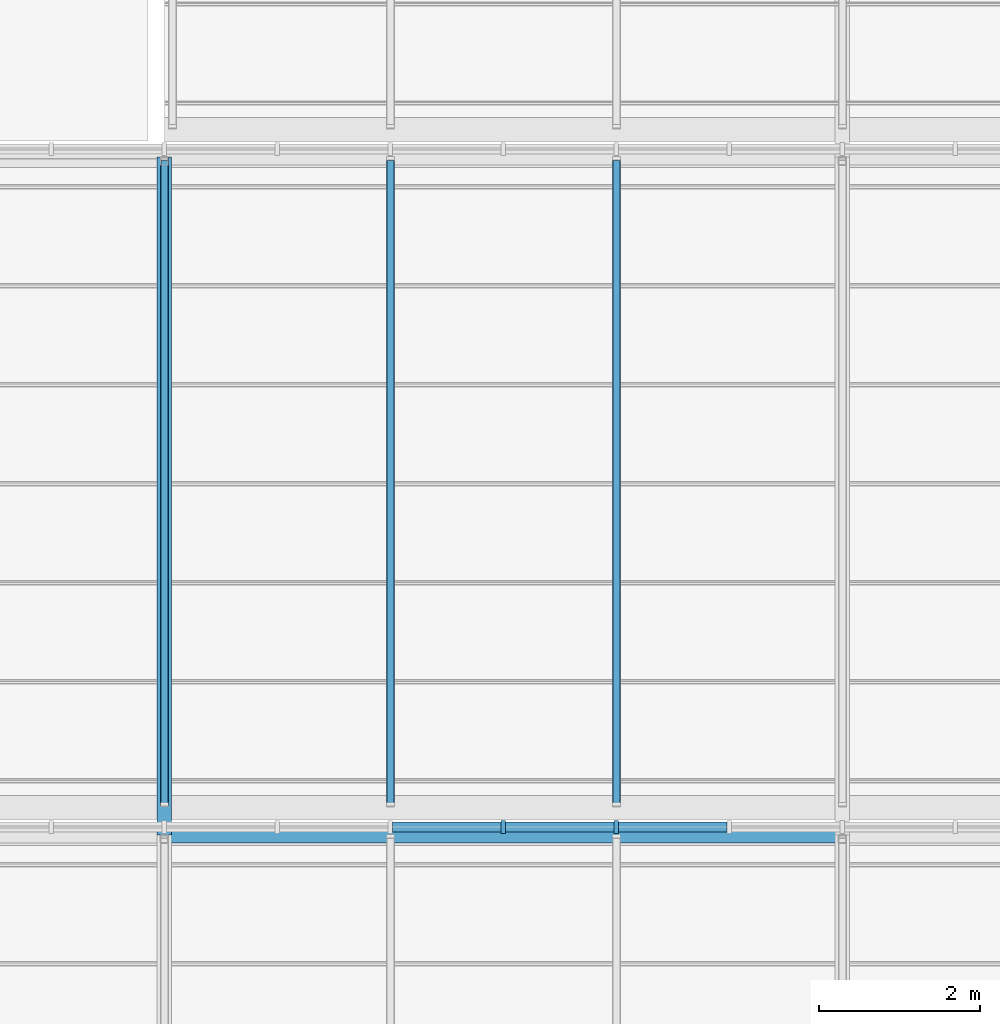
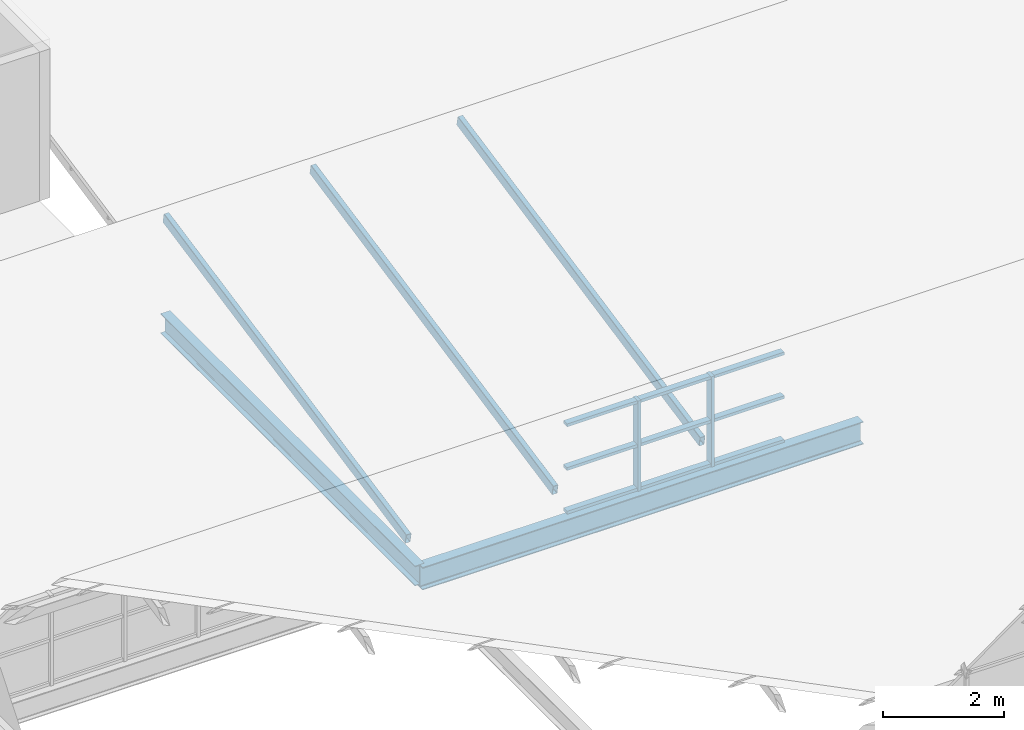
# One storey, part 16 of 121: 14 members, 2 beams, 1 element without a shape of its own.
"""IFC4 building model written with IfcOpenShell, lengths in metres."""

from ifc_helpers import new_model, si_unit, direction, frame, origin, origin_2d, place, context, subcontext, project, spatial, rectangle, hollow_rectangle, i_section, extrude, material, layer, layer_set, material_profile, profile_set, type_object, element, aggregate, save


model = new_model("IFC4")

# Units and contexts
model_context = context("Model", 3, precision=1e-05, world=origin(), true_north=direction((0.0, 1.0)))
body_context = subcontext(model_context, "Body", "Model", "MODEL_VIEW")
ifc_project = project(units=[si_unit("LENGTHUNIT", "METRE"), si_unit("AREAUNIT", "SQUARE_METRE"), si_unit("VOLUMEUNIT", "CUBIC_METRE"), si_unit("PLANEANGLEUNIT", "RADIAN"), si_unit("MASSUNIT", "GRAM", prefix="KILO")], contexts=[model_context])

# Site, building, storey
site_placement = place(None, origin())
site = spatial("IfcSite", under=ifc_project, at=site_placement, CompositionType="ELEMENT")
building_placement = place(site_placement, origin())
building = spatial("IfcBuilding", under=site, at=building_placement, Name="Ardhachandra Cancer Care Centre", CompositionType="ELEMENT")
storey_placement = place(building_placement, frame((0.0, 0.0, 9.0)))
storey = spatial("IfcBuildingStorey", under=building, at=storey_placement, Name="L02", CompositionType="ELEMENT", Elevation=9.0)

# Beams
ifc_material_1 = material(Name="Steel E350 (IS 2062)", Category="steel")
ifc_material_profile_1 = material_profile(ifc_material_1, i_section(OverallWidth=0.179931640625, OverallDepth=0.39990234375, WebThickness=0.008544921875, FlangeThickness=0.013427734375, FilletRadius=0.02099609375, at=origin_2d()), Name="NPB 400x180x66.30")
ifc_profile_set_1 = profile_set([ifc_material_profile_1], Name="Steel E350 (IS 2062)")
beam_type_1 = type_object("IfcBeamType", Name="Beam NPB 400x180x66.30", PredefinedType="BEAM", material=ifc_profile_set_1)
beam_1_placement = place(storey_placement, frame((19.199951171875, 54.60009765625, -0.199951171875), z_axis=(0.0, 1.0, 0.0), x_axis=(-1.0, 0.0, 0.0)))
element("IfcBeam", 1, at=beam_1_placement, inside=storey, type_object=beam_type_1, Name="Roof girder F2-G2", PredefinedType="BEAM", context=body_context, shape_type="SweptSolid", body=[
    extrude(i_section(OverallWidth=0.179931640625, OverallDepth=0.39990234375, WebThickness=0.008544921875, FlangeThickness=0.013427734375, FilletRadius=0.02099609375, at=origin_2d()), origin(), (0.0, 0.0, 1.0), 8.39990234375),
])
ifc_material_2 = material(Name="Steel E350 (IS 2062)", Category="steel")
ifc_material_profile_2 = material_profile(ifc_material_2, i_section(OverallWidth=0.19189453125, OverallDepth=0.4560546875, WebThickness=0.010986328125, FlangeThickness=0.017578125, FilletRadius=0.02099609375, at=origin_2d()), Name="NPB 450x190x92.36")
ifc_profile_set_2 = profile_set([ifc_material_profile_2], Name="Steel E350 (IS 2062)")
beam_type_2 = type_object("IfcBeamType", Name="Beam NPB 450x190x92.36", PredefinedType="BEAM", material=ifc_profile_set_2)
beam_2_placement = place(storey_placement, frame((19.199951171875, 54.60009765625, -0.22802734375), z_axis=(1.0, 0.0, 0.0), x_axis=(0.0, 1.0, 0.0)))
element("IfcBeam", 2, at=beam_2_placement, inside=storey, type_object=beam_type_2, Name="Roof girder F2-F3", PredefinedType="BEAM", context=body_context, shape_type="SweptSolid", body=[
    extrude(i_section(OverallWidth=0.19189453125, OverallDepth=0.4560546875, WebThickness=0.010986328125, FlangeThickness=0.017578125, FilletRadius=0.02099609375, at=origin_2d()), origin(), (0.0, 0.0, 1.0), 8.400146484375),
])

# Curtain wall, members
ifc_material_3 = material(Name="Aluminium extrusion", Category="aluminium")
ifc_layer = layer(ifc_material_3, 0.14990234375)
ifc_layer_set = layer_set([ifc_layer], Name="Aluminium extrusion")
curtain_wall_type = type_object("IfcCurtainWallType", Name="Curtain wall run", PredefinedType="NOTDEFINED", material=ifc_layer_set)
curtain_wall_placement = place(storey_placement, origin())
curtain_wall = element("IfcCurtainWall", 3, at=curtain_wall_placement, inside=storey, type_object=curtain_wall_type, Name="Curtain wall L02 n/0010800_0054700", PredefinedType="NOTDEFINED")
ifc_material_4 = material(Name="Aluminium extrusion", Category="aluminium")
ifc_material_profile_3 = material_profile(ifc_material_4, rectangle(XDim=0.159912109375, YDim=0.06005859375, at=origin_2d()), Name="Curtain wall mullion 60 x 160")
ifc_profile_set_3 = profile_set([ifc_material_profile_3], Name="Aluminium extrusion")
member_type_1 = type_object("IfcMemberType", Name="Curtain wall mullion 60 x 160", PredefinedType="MULLION", material=ifc_profile_set_3)
member_1_placement = place(storey_placement, frame((23.39990234375, 54.699951171875, 0.0), z_axis=(0.0, 0.0, 1.0), x_axis=(0.0, 1.0, 0.0)))
member_1 = element("IfcMember", 4, at=member_1_placement, type_object=member_type_1, Name="CW mullion 10", PredefinedType="MULLION", context=body_context, shape_type="SweptSolid", body=[
    extrude(rectangle(XDim=0.159912109375, YDim=0.06005859375, at=origin_2d()), origin(), (0.0, 0.0, 1.0), 1.820068359375),
])
member_2_placement = place(storey_placement, frame((24.800048828125, 54.699951171875, 0.0), z_axis=(0.0, 0.0, 1.0), x_axis=(0.0, 1.0, 0.0)))
member_2 = element("IfcMember", 5, at=member_2_placement, type_object=member_type_1, Name="CW mullion 11", PredefinedType="MULLION", context=body_context, shape_type="SweptSolid", body=[
    extrude(rectangle(XDim=0.159912109375, YDim=0.06005859375, at=origin_2d()), origin(), (0.0, 0.0, 1.0), 1.820068359375),
])
ifc_material_5 = material(Name="Aluminium extrusion", Category="aluminium")
ifc_material_profile_4 = material_profile(ifc_material_5, rectangle(XDim=0.1201171875, YDim=0.06005859375, at=origin_2d()), Name="Curtain wall transom 60 x 120")
ifc_profile_set_4 = profile_set([ifc_material_profile_4], Name="Aluminium extrusion")
member_type_2 = type_object("IfcMemberType", Name="Curtain wall transom 60 x 120", PredefinedType="USERDEFINED", material=ifc_profile_set_4)
member_3_placement = place(storey_placement, frame((22.030029296875, 54.699951171875, 0.030029296875), z_axis=(1.0, 0.0, 0.0), x_axis=(0.0, 1.0, 0.0)))
member_3 = element("IfcMember", 6, at=member_3_placement, type_object=member_type_2, Name="CW transom 9.1", ObjectType="TRANSOM", PredefinedType="USERDEFINED", context=body_context, shape_type="SweptSolid", body=[
    extrude(rectangle(XDim=0.1201171875, YDim=0.06005859375, at=origin_2d()), origin(), (0.0, 0.0, 1.0), 1.340087890625),
])
member_4_placement = place(storey_placement, frame((22.030029296875, 54.699951171875, 0.909912109375), z_axis=(1.0, 0.0, 0.0), x_axis=(0.0, 1.0, 0.0)))
member_4 = element("IfcMember", 7, at=member_4_placement, type_object=member_type_2, Name="CW transom 9.2", ObjectType="TRANSOM", PredefinedType="USERDEFINED", context=body_context, shape_type="SweptSolid", body=[
    extrude(rectangle(XDim=0.1201171875, YDim=0.06005859375, at=origin_2d()), origin(), (0.0, 0.0, 1.0), 1.340087890625),
])
member_5_placement = place(storey_placement, frame((22.030029296875, 54.699951171875, 1.7900390625), z_axis=(1.0, 0.0, 0.0), x_axis=(0.0, 1.0, 0.0)))
member_5 = element("IfcMember", 8, at=member_5_placement, type_object=member_type_2, Name="CW transom 9.3", ObjectType="TRANSOM", PredefinedType="USERDEFINED", context=body_context, shape_type="SweptSolid", body=[
    extrude(rectangle(XDim=0.1201171875, YDim=0.06005859375, at=origin_2d()), origin(), (0.0, 0.0, 1.0), 1.340087890625),
])
member_6_placement = place(storey_placement, frame((23.429931640625, 54.699951171875, 0.030029296875), z_axis=(1.0, 0.0, 0.0), x_axis=(0.0, 1.0, 0.0)))
member_6 = element("IfcMember", 9, at=member_6_placement, type_object=member_type_2, Name="CW transom 10.1", ObjectType="TRANSOM", PredefinedType="USERDEFINED", context=body_context, shape_type="SweptSolid", body=[
    extrude(rectangle(XDim=0.1201171875, YDim=0.06005859375, at=origin_2d()), origin(), (0.0, 0.0, 1.0), 1.340087890625),
])
member_7_placement = place(storey_placement, frame((23.429931640625, 54.699951171875, 0.909912109375), z_axis=(1.0, 0.0, 0.0), x_axis=(0.0, 1.0, 0.0)))
member_7 = element("IfcMember", 10, at=member_7_placement, type_object=member_type_2, Name="CW transom 10.2", ObjectType="TRANSOM", PredefinedType="USERDEFINED", context=body_context, shape_type="SweptSolid", body=[
    extrude(rectangle(XDim=0.1201171875, YDim=0.06005859375, at=origin_2d()), origin(), (0.0, 0.0, 1.0), 1.340087890625),
])
member_8_placement = place(storey_placement, frame((23.429931640625, 54.699951171875, 1.7900390625), z_axis=(1.0, 0.0, 0.0), x_axis=(0.0, 1.0, 0.0)))
member_8 = element("IfcMember", 11, at=member_8_placement, type_object=member_type_2, Name="CW transom 10.3", ObjectType="TRANSOM", PredefinedType="USERDEFINED", context=body_context, shape_type="SweptSolid", body=[
    extrude(rectangle(XDim=0.1201171875, YDim=0.06005859375, at=origin_2d()), origin(), (0.0, 0.0, 1.0), 1.340087890625),
])
member_9_placement = place(storey_placement, frame((24.830078125, 54.699951171875, 0.030029296875), z_axis=(1.0, 0.0, 0.0), x_axis=(0.0, 1.0, 0.0)))
member_9 = element("IfcMember", 12, at=member_9_placement, type_object=member_type_2, Name="CW transom 11.1", ObjectType="TRANSOM", PredefinedType="USERDEFINED", context=body_context, shape_type="SweptSolid", body=[
    extrude(rectangle(XDim=0.1201171875, YDim=0.06005859375, at=origin_2d()), origin(), (0.0, 0.0, 1.0), 1.33984375),
])
member_10_placement = place(storey_placement, frame((24.830078125, 54.699951171875, 0.909912109375), z_axis=(1.0, 0.0, 0.0), x_axis=(0.0, 1.0, 0.0)))
member_10 = element("IfcMember", 13, at=member_10_placement, type_object=member_type_2, Name="CW transom 11.2", ObjectType="TRANSOM", PredefinedType="USERDEFINED", context=body_context, shape_type="SweptSolid", body=[
    extrude(rectangle(XDim=0.1201171875, YDim=0.06005859375, at=origin_2d()), origin(), (0.0, 0.0, 1.0), 1.33984375),
])
member_11_placement = place(storey_placement, frame((24.830078125, 54.699951171875, 1.7900390625), z_axis=(1.0, 0.0, 0.0), x_axis=(0.0, 1.0, 0.0)))
member_11 = element("IfcMember", 14, at=member_11_placement, type_object=member_type_2, Name="CW transom 11.3", ObjectType="TRANSOM", PredefinedType="USERDEFINED", context=body_context, shape_type="SweptSolid", body=[
    extrude(rectangle(XDim=0.1201171875, YDim=0.06005859375, at=origin_2d()), origin(), (0.0, 0.0, 1.0), 1.33984375),
])
aggregate(curtain_wall, [member_1, member_2, member_3, member_4, member_5, member_6, member_7, member_8, member_9, member_10, member_11])

# Members
ifc_material_6 = material(Name="Steel E350 (IS 2062)", Category="steel")
ifc_material_profile_5 = material_profile(ifc_material_6, hollow_rectangle(XDim=0.10009765625, YDim=0.199951171875, WallThickness=0.006103515625, InnerFilletRadius=0.006103515625, OuterFilletRadius=0.011962890625, at=origin_2d()), Name="RHS 200x100x6.0")
ifc_profile_set_5 = profile_set([ifc_material_profile_5], Name="Steel E350 (IS 2062)")
member_type_3 = type_object("IfcMemberType", Name="Roof rafter RHS 200x100x6.0", PredefinedType="RAFTER", material=ifc_profile_set_5)
for number, where, z_axis, x_axis, name in (
    (15, (19.199951171875, 54.980224609375, 0.298095703125), (0.0, 0.980109665583, 0.198456653782), (-1.0, 0.0, 0.0), "Rafter T4a.4"),
    (16, (22.0, 54.980224609375, 0.298095703125), (0.0, 0.980109665583, 0.198456653782), (-1.0, 0.0, 0.0), "Rafter T4a.5"),
    (17, (24.800048828125, 54.980224609375, 0.298095703125), (0.0, 0.980109665583, 0.198456653782), (-1.0, 0.0, 0.0), "Rafter T4a.6"),
):
    element("IfcMember", number, at=place(storey_placement, frame(where, z_axis=z_axis, x_axis=x_axis)), inside=storey, type_object=member_type_3, Name=name, PredefinedType="RAFTER", context=body_context, shape_type="SweptSolid", body=[
        extrude(hollow_rectangle(XDim=0.10009765625, YDim=0.199951171875, WallThickness=0.006103515625, InnerFilletRadius=0.006103515625, OuterFilletRadius=0.011962890625, at=origin_2d()), origin(), (0.0, 0.0, 1.0), 8.162353515625),
    ])

save(model, "model.ifc")
